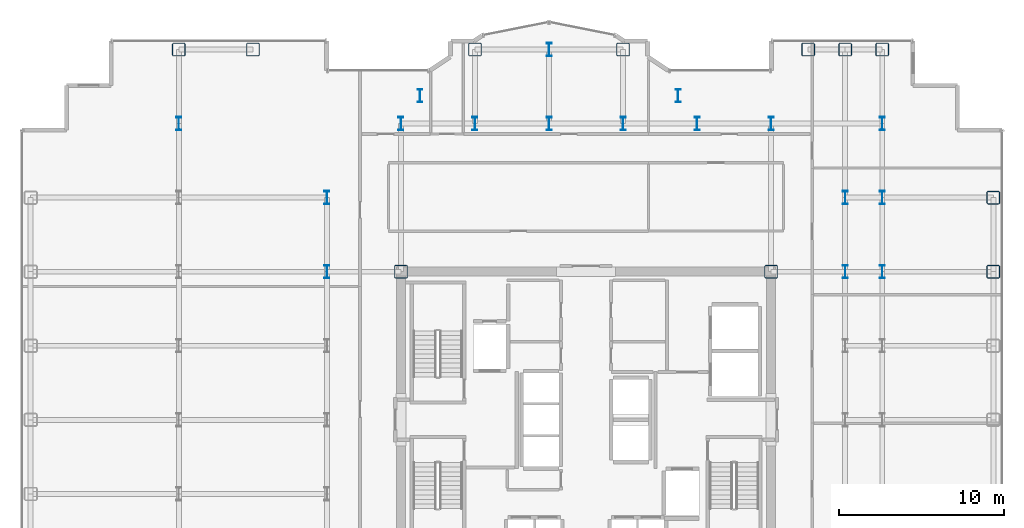
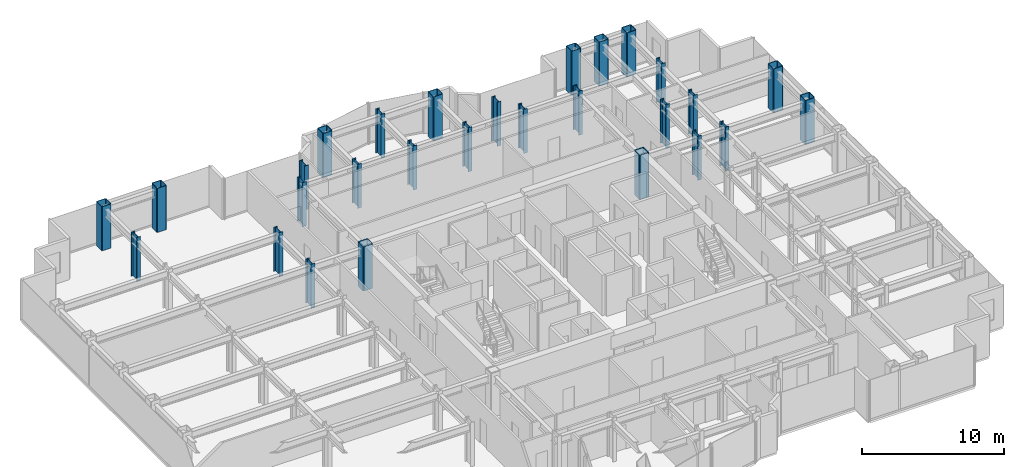
# One storey, part 2 of 23: 28 columns.
"""IFC4 building model written with IfcOpenShell, lengths in metres."""

from ifc_helpers import new_model, si_unit, direction, frame, origin, origin_2d, place, context, subcontext, project, spatial, hollow_rectangle, i_section, extrude, source, transform, mapped, material, material_profile, profile_set, type_object, element, save


model = new_model("IFC4")

# Units and contexts
model_context = context("Model", 3, precision=1e-05, world=origin(), true_north=direction((0.0, 1.0)))
body_context = subcontext(model_context, "Body", "Model", "MODEL_VIEW")
ifc_project = project(units=[si_unit("LENGTHUNIT", "METRE"), si_unit("AREAUNIT", "SQUARE_METRE"), si_unit("VOLUMEUNIT", "CUBIC_METRE"), si_unit("PLANEANGLEUNIT", "RADIAN"), si_unit("MASSUNIT", "GRAM", prefix="KILO")], contexts=[model_context])

# Site, building, storey
site_placement = place(None, origin())
site = spatial("IfcSite", under=ifc_project, at=site_placement, CompositionType="ELEMENT")
building_placement = place(site_placement, origin())
building = spatial("IfcBuilding", under=site, at=building_placement, Name="Nefas-Gora Pilgrimage Tower", CompositionType="ELEMENT")
storey_placement = place(building_placement, frame((0.0, 0.0, 198.199951171875)))
storey = spatial("IfcBuildingStorey", under=building, at=storey_placement, Name="L49", CompositionType="ELEMENT", Elevation=198.199951171875)

# Columns
ifc_material = material(Name="Steel S460", Category="steel")
ifc_material_profile_1 = material_profile(ifc_material, hollow_rectangle(XDim=0.800048828125, YDim=0.800048828125, WallThickness=0.0400390625, InnerFilletRadius=0.0400390625, OuterFilletRadius=0.080078125, at=origin_2d()), Name="BOX 800x800x40")
ifc_profile_set_1 = profile_set([ifc_material_profile_1], Name="Steel S460")
column_type_1 = type_object("IfcColumnType", Name="COL-TUBE-800", PredefinedType="COLUMN", material=ifc_profile_set_1)
shared_shape_1 = source(origin(), body_context, "Body", "SweptSolid", [
    extrude(hollow_rectangle(XDim=0.800048828125, YDim=0.800048828125, WallThickness=0.0400390625, InnerFilletRadius=0.0400390625, OuterFilletRadius=0.080078125, at=origin_2d()), origin(), (0.0, 0.0, 1.0), 3.800048828125),
])
for number, where, z_axis, x_axis, name in (
    (1, (-24.75, 22.5, 0.0), (0.0, 0.0, 1.0), (1.0, 0.0, 0.0), "L49 Tower Column C-Z2.18"),
    (2, (-20.25, 22.5, 0.0), (0.0, 0.0, 1.0), (1.0, 0.0, 0.0), "L49 Tower Column C-Z2.20"),
    (3, (-6.75, 22.5, 0.0), (0.0, 0.0, 1.0), (1.0, 0.0, 0.0), "L49 Tower Column C-Z2.37"),
    (4, (2.25, 22.5, 0.0), (0.0, 0.0, 1.0), (1.0, 0.0, 0.0), "L49 Tower Column C-Z2.45"),
    (5, (13.5, 22.5, 0.0), (0.0, 0.0, 1.0), (1.0, 0.0, 0.0), "L49 Tower Column C-Z2.55"),
    (6, (15.75, 22.5, 0.0), (0.0, 0.0, 1.0), (1.0, 0.0, 0.0), "L49 Tower Column C-Z2.64"),
    (7, (18.0, 22.5, 0.0), (0.0, 0.0, 1.0), (1.0, 0.0, 0.0), "L49 Tower Column C-Z2.73"),
    (8, (24.75, 9.0, 0.0), (0.0, 0.0, 1.0), (1.0, 0.0, 0.0), "L49 Tower Column C-Z2.79"),
    (9, (24.75, 13.5, 0.0), (0.0, 0.0, 1.0), (1.0, 0.0, 0.0), "L49 Tower Column C-Z2.80"),
):
    element("IfcColumn", number, at=place(storey_placement, frame(where, z_axis=z_axis, x_axis=x_axis)), inside=storey, type_object=column_type_1, Name=name, PredefinedType="COLUMN", context=body_context, shape_type="MappedRepresentation", body=[
        mapped(shared_shape_1, transform((0.0, 0.0, 0.0), x_axis=(1.0, 0.0, 0.0), y_axis=(0.0, 1.0, 0.0), z_axis=(0.0, 0.0, 1.0), scale=1.0)),
    ])
ifc_material_profile_2 = material_profile(ifc_material, i_section(OverallWidth=0.302978515625, OverallDepth=0.81396484375, WebThickness=0.02099609375, FlangeThickness=0.0400390625, FilletRadius=0.030029296875, at=origin_2d()), Name="HEM 800")
ifc_profile_set_2 = profile_set([ifc_material_profile_2], Name="Steel S460")
column_type_2 = type_object("IfcColumnType", Name="COL-WEB-HEM800", PredefinedType="COLUMN", material=ifc_profile_set_2)
shared_shape_2 = source(origin(), body_context, "Body", "SweptSolid", [
    extrude(i_section(OverallWidth=0.302978515625, OverallDepth=0.81396484375, WebThickness=0.02099609375, FlangeThickness=0.0400390625, FilletRadius=0.030029296875, at=origin_2d()), origin(), (0.0, 0.0, 1.0), 3.800048828125),
])
for number, where, z_axis, x_axis, name in (
    (10, (-24.75, 18.0, 0.0), (0.0, 0.0, 1.0), (1.0, 0.0, 0.0), "L49 Tower Column CW-02.17"),
    (11, (-15.75, 9.0, 0.0), (0.0, 0.0, 1.0), (1.0, 0.0, 0.0), "L49 Tower Column CW-02.26"),
    (12, (-15.75, 13.5, 0.0), (0.0, 0.0, 1.0), (1.0, 0.0, 0.0), "L49 Tower Column CW-02.27"),
    (13, (-11.25, 18.0, 0.0), (0.0, 0.0, 1.0), (1.0, 0.0, 0.0), "L49 Tower Column CW-02.31"),
    (14, (-10.091064453125, 19.696044921875, 0.0), (0.0, 0.0, 1.0), (1.0, 0.0, 0.0), "L49 Tower Column CW-02.33"),
    (15, (-6.75, 18.0, 0.0), (0.0, 0.0, 1.0), (1.0, 0.0, 0.0), "L49 Tower Column CW-02.36"),
    (16, (-2.25, 18.0, 0.0), (0.0, 0.0, 1.0), (1.0, 0.0, 0.0), "L49 Tower Column CW-02.40"),
    (17, (-2.25, 22.5, 0.0), (0.0, 0.0, 1.0), (1.0, 0.0, 0.0), "L49 Tower Column CW-02.41"),
    (18, (2.25, 18.0, 0.0), (0.0, 0.0, 1.0), (1.0, 0.0, 0.0), "L49 Tower Column CW-02.44"),
    (19, (5.591064453125, 19.696044921875, 0.0), (0.0, 0.0, 1.0), (1.0, 0.0, 0.0), "L49 Tower Column CW-02.47"),
    (20, (6.75, 18.0, 0.0), (0.0, 0.0, 1.0), (1.0, 0.0, 0.0), "L49 Tower Column CW-02.49"),
    (21, (11.25, 18.0, 0.0), (0.0, 0.0, 1.0), (1.0, 0.0, 0.0), "L49 Tower Column CW-02.53"),
    (22, (15.75, 9.0, 0.0), (0.0, 0.0, 1.0), (1.0, 0.0, 0.0), "L49 Tower Column CW-02.62"),
    (23, (15.75, 13.5, 0.0), (0.0, 0.0, 1.0), (1.0, 0.0, 0.0), "L49 Tower Column CW-02.63"),
    (24, (18.0, 9.0, 0.0), (0.0, 0.0, 1.0), (1.0, 0.0, 0.0), "L49 Tower Column CW-02.70"),
    (25, (18.0, 13.5, 0.0), (0.0, 0.0, 1.0), (1.0, 0.0, 0.0), "L49 Tower Column CW-02.71"),
    (26, (18.0, 18.0, 0.0), (0.0, 0.0, 1.0), (1.0, 0.0, 0.0), "L49 Tower Column CW-02.72"),
):
    element("IfcColumn", number, at=place(storey_placement, frame(where, z_axis=z_axis, x_axis=x_axis)), inside=storey, type_object=column_type_2, Name=name, PredefinedType="COLUMN", context=body_context, shape_type="MappedRepresentation", body=[
        mapped(shared_shape_2, transform((0.0, 0.0, 0.0), x_axis=(1.0, 0.0, 0.0), y_axis=(0.0, 1.0, 0.0), z_axis=(0.0, 0.0, 1.0), scale=1.0)),
    ])
ifc_material_profile_3 = material_profile(ifc_material, hollow_rectangle(XDim=0.800048828125, YDim=0.800048828125, WallThickness=0.0400390625, InnerFilletRadius=0.0400390625, OuterFilletRadius=0.080078125, at=origin_2d()), Name="BOX 800x800x40")
ifc_profile_set_3 = profile_set([ifc_material_profile_3], Name="Steel S460")
column_type_3 = type_object("IfcColumnType", Name="COL-CORE-800", PredefinedType="COLUMN", material=ifc_profile_set_3)
shared_shape_3 = source(origin(), body_context, "Body", "SweptSolid", [
    extrude(hollow_rectangle(XDim=0.800048828125, YDim=0.800048828125, WallThickness=0.0400390625, InnerFilletRadius=0.0400390625, OuterFilletRadius=0.080078125, at=origin_2d()), origin(), (0.0, 0.0, 1.0), 3.800048828125),
])
for number, where, z_axis, x_axis, name in (
    (27, (-11.25, 9.0, 0.0), (0.0, 0.0, 1.0), (1.0, 0.0, 0.0), "L49 Tower Column CC-Z2.30"),
    (28, (11.25, 9.0, 0.0), (0.0, 0.0, 1.0), (1.0, 0.0, 0.0), "L49 Tower Column CC-Z2.52"),
):
    element("IfcColumn", number, at=place(storey_placement, frame(where, z_axis=z_axis, x_axis=x_axis)), inside=storey, type_object=column_type_3, Name=name, PredefinedType="COLUMN", context=body_context, shape_type="MappedRepresentation", body=[
        mapped(shared_shape_3, transform((0.0, 0.0, 0.0), x_axis=(1.0, 0.0, 0.0), y_axis=(0.0, 1.0, 0.0), z_axis=(0.0, 0.0, 1.0), scale=1.0)),
    ])

save(model, "model.ifc")
